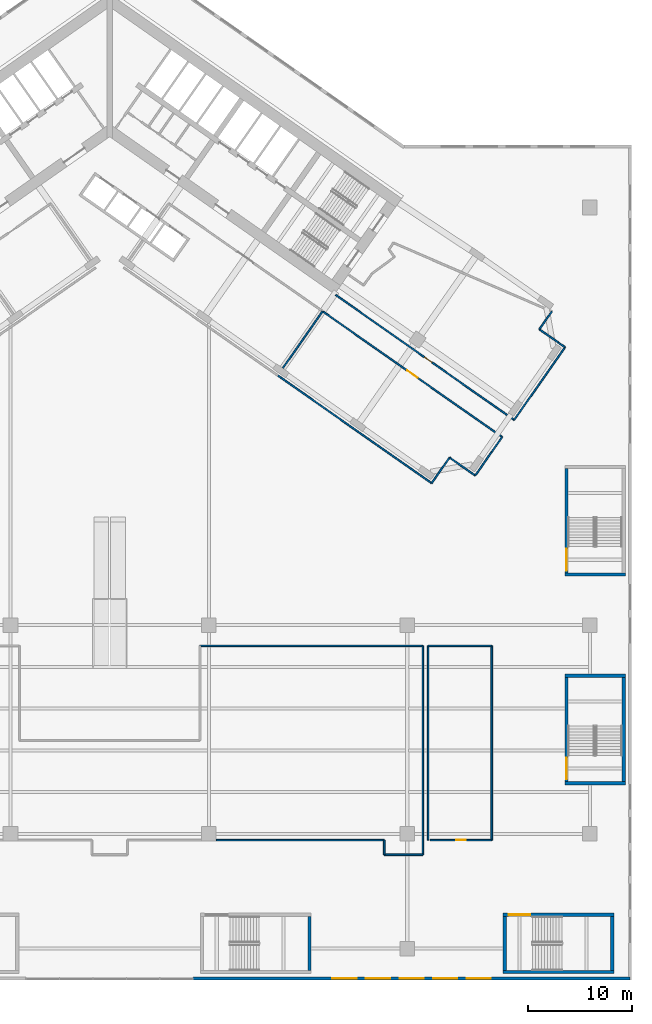
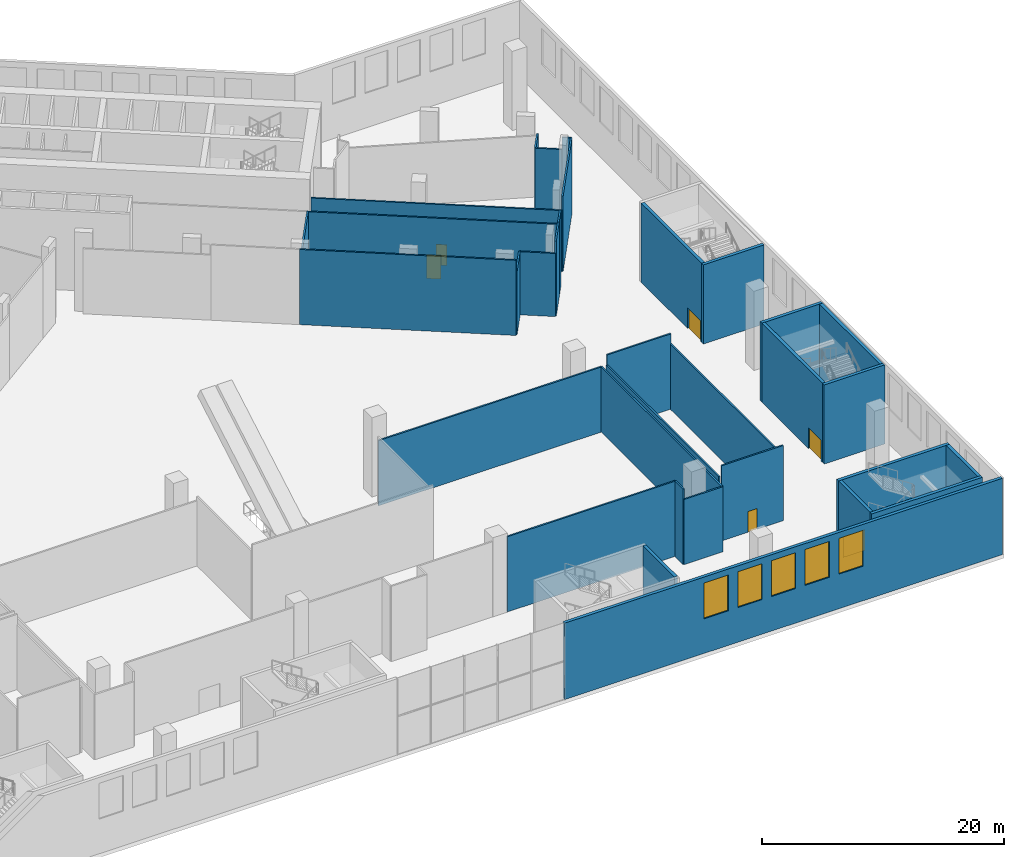
# One storey, part 8 of 27: 33 walls, 6 doors, 5 windows, 11 openings.
"""IFC4 building model written with IfcOpenShell, lengths in metres."""

from ifc_helpers import new_model, si_unit, direction, frame, frame_2d, origin, place, context, subcontext, project, spatial, rectangle, extrude, material, layer, layer_set, type_object, element, fill, save


model = new_model("IFC4")

# Units and contexts
model_context = context("Model", 3, precision=1e-05, world=origin(), true_north=direction((0.0, 1.0)))
body_context = subcontext(model_context, "Body", "Model", "MODEL_VIEW")
ifc_project = project(units=[si_unit("LENGTHUNIT", "METRE"), si_unit("AREAUNIT", "SQUARE_METRE"), si_unit("VOLUMEUNIT", "CUBIC_METRE"), si_unit("PLANEANGLEUNIT", "RADIAN"), si_unit("MASSUNIT", "GRAM", prefix="KILO")], contexts=[model_context])

# Site, building, storey
site_placement = place(None, origin())
site = spatial("IfcSite", under=ifc_project, at=site_placement, CompositionType="ELEMENT")
building_placement = place(site_placement, origin())
building = spatial("IfcBuilding", under=site, at=building_placement, Name="Tel Ilan Convention Tower", CompositionType="ELEMENT")
storey_placement = place(building_placement, frame((0.0, 0.0, 18.0)))
storey = spatial("IfcBuildingStorey", under=building, at=storey_placement, Name="L02", CompositionType="ELEMENT", Elevation=18.0)

# Wall, opening, door
ifc_material_1 = material(Name="Plasterboard on Steel Studs", Category="steel")
ifc_layer_1 = layer(ifc_material_1, 0.14990234375)
ifc_layer_set_1 = layer_set([ifc_layer_1], Name="Fire-rated Partition 150 EI 60")
wall_type_1 = type_object("IfcWallType", Name="Fire-rated Partition 150 EI 60", PredefinedType="PARTITIONING", material=ifc_layer_set_1)
wall_1_placement = place(storey_placement, frame((21.641845703125, -16.37451171875, 0.0), z_axis=(0.0, 0.0, 1.0), x_axis=(0.819148965066, -0.573580833911, 0.0)))
wall_1 = element("IfcWall", 1, at=wall_1_placement, inside=storey, type_object=wall_type_1, Name="Partition 001", PredefinedType="PARTITIONING", context=body_context, shape_type="SweptSolid", body=[
    extrude(rectangle(XDim=20.8798828125, YDim=0.14990234375, at=frame_2d((10.43994140625, 0.0))), origin(), (0.0, 0.0, 1.0), 6.179931640625),
])
opening_1_placement = place(wall_1_placement, frame((10.389892578125, 0.0, 0.0)))
opening_1 = element("IfcOpeningElement", 2, at=opening_1_placement, cuts=wall_1, Name="Opening L02-006", PredefinedType="OPENING", context=body_context, shape_type="SweptSolid", body=[
    extrude(rectangle(XDim=0.89990234375, YDim=2.10009765625, at=frame_2d((0.449951171875, 1.050048828125))), frame((0.0, 0.0849609375, 0.0), z_axis=(0.0, -1.0, 0.0), x_axis=(1.0, 0.0, 0.0)), (0.0, 0.0, 1.0), 0.169921875),
])
ifc_material_2 = material(Name="Timber Door Leaf in Steel Frame", Category="steel")
door_type_1 = type_object("IfcDoorType", Name="Room Fire Door 900x2100", OperationType="NOTDEFINED", PredefinedType="DOOR", material=ifc_material_2)
door_1_placement = place(opening_1_placement, origin())
door_1 = element("IfcDoor", 3, at=door_1_placement, inside=storey, type_object=door_type_1, Name="Door L02-006", OperationType="SINGLE_SWING_RIGHT", OverallHeight=2.10009765625, OverallWidth=0.89990234375, PredefinedType="DOOR", context=body_context, shape_type="SweptSolid", body=[
    extrude(rectangle(XDim=0.89990234375, YDim=2.10009765625, at=frame_2d((0.449951171875, 1.050048828125))), frame((0.0, 0.02490234375, 0.0), z_axis=(0.0, -1.0, 0.0), x_axis=(1.0, 0.0, 0.0)), (0.0, 0.0, 1.0), 0.050048828125),
])
fill(opening_1, door_1)

wall_2_placement = place(storey_placement, frame((37.5986328125, -29.989013671875, 0.0), z_axis=(0.0, 0.0, 1.0), x_axis=(-0.819154909514, 0.573572344364, 0.0)))
wall_2 = element("IfcWall", 4, at=wall_2_placement, inside=storey, type_object=wall_type_1, Name="Partition 003", PredefinedType="PARTITIONING", context=body_context, shape_type="SweptSolid", body=[
    extrude(rectangle(XDim=21.001953125, YDim=0.14990234375, at=frame_2d((10.5009765625, 0.0))), origin(), (0.0, 0.0, 1.0), 6.179931640625),
])
opening_2_placement = place(wall_2_placement, frame((9.90087890625, 0.0, 0.0)))
opening_2 = element("IfcOpeningElement", 5, at=opening_2_placement, cuts=wall_2, Name="Opening L02-005", PredefinedType="OPENING", context=body_context, shape_type="SweptSolid", body=[
    extrude(rectangle(XDim=1.199951171875, YDim=2.39990234375, at=frame_2d((0.60009765625, 1.199951171875))), frame((0.0, 0.0849609375, 0.0), z_axis=(0.0, -1.0, 0.0), x_axis=(1.0, 0.0, 0.0)), (0.0, 0.0, 1.0), 0.169921875),
])
ifc_material_3 = material(Name="Glazed Aluminium Door", Category="aluminium")
door_type_2 = type_object("IfcDoorType", Name="Glazed Lobby Door 1200x2400", OperationType="NOTDEFINED", PredefinedType="DOOR", material=ifc_material_3)
door_2_placement = place(opening_2_placement, origin())
door_2 = element("IfcDoor", 6, at=door_2_placement, inside=storey, type_object=door_type_2, Name="Door L02-005", OperationType="DOUBLE_DOOR_SINGLE_SWING", OverallHeight=2.39990234375, OverallWidth=1.199951171875, PredefinedType="DOOR", context=body_context, shape_type="SweptSolid", body=[
    extrude(rectangle(XDim=1.199951171875, YDim=2.39990234375, at=frame_2d((0.60009765625, 1.199951171875))), frame((0.0, 0.02490234375, 0.0), z_axis=(0.0, -1.0, 0.0), x_axis=(1.0, 0.0, 0.0)), (0.0, 0.0, 1.0), 0.050048828125),
])
fill(opening_2, door_2)

# Walls
wall_3_placement = place(storey_placement, frame((42.357421875, -17.96240234375, 0.0), z_axis=(0.0, 0.0, 1.0), x_axis=(-0.573533201177, -0.819182316183, 0.0)))
element("IfcWall", 7, at=wall_3_placement, inside=storey, type_object=wall_type_1, Name="Partition 007", PredefinedType="PARTITIONING", context=body_context, shape_type="SweptSolid", body=[
    extrude(rectangle(XDim=2.0810546875, YDim=0.14990234375, at=frame_2d((1.04052734375, 0.0))), origin(), (0.0, 0.0, 1.0), 6.3798828125),
])
wall_4_placement = place(storey_placement, frame((41.163818359375, -19.667236328125, 0.0), z_axis=(0.0, 0.0, 1.0), x_axis=(0.81912956014, -0.573608545704, 0.0)))
element("IfcWall", 8, at=wall_4_placement, inside=storey, type_object=wall_type_1, Name="Partition 008", PredefinedType="PARTITIONING", context=body_context, shape_type="SweptSolid", body=[
    extrude(rectangle(XDim=2.2412109375, YDim=0.14990234375, at=frame_2d((1.12060546875, 0.0))), origin(), (0.0, 0.0, 1.0), 6.3798828125),
])
wall_5_placement = place(storey_placement, frame((42.998046875, -20.95166015625, 0.0), z_axis=(0.0, 0.0, 1.0), x_axis=(0.819141432686, -0.573591590992, 0.0)))
element("IfcWall", 9, at=wall_5_placement, inside=storey, type_object=wall_type_1, Name="Partition 009", PredefinedType="PARTITIONING", context=body_context, shape_type="SweptSolid", body=[
    extrude(rectangle(XDim=0.760498046875, YDim=0.14990234375, at=frame_2d((0.38037109375, 0.0))), origin(), (0.0, 0.0, 1.0), 7.60009765625),
])
wall_6_placement = place(storey_placement, frame((43.62109375, -21.387939453125, 0.0), z_axis=(0.0, 0.0, 1.0), x_axis=(-0.57357799764, -0.819150951061, 0.0)))
element("IfcWall", 10, at=wall_6_placement, inside=storey, type_object=wall_type_1, Name="Partition 010", PredefinedType="PARTITIONING", context=body_context, shape_type="SweptSolid", body=[
    extrude(rectangle(XDim=8.500244140625, YDim=0.14990234375, at=frame_2d((4.25, 0.0))), origin(), (0.0, 0.0, 1.0), 7.60009765625),
])
wall_7_placement = place(storey_placement, frame((20.396484375, -17.944091796875, 0.0), z_axis=(0.0, 0.0, 1.0), x_axis=(-0.57359826181, -0.819136761505, 0.0)))
element("IfcWall", 11, at=wall_7_placement, inside=storey, type_object=wall_type_1, Name="Partition 017", PredefinedType="PARTITIONING", context=body_context, shape_type="SweptSolid", body=[
    extrude(rectangle(XDim=6.630126953125, YDim=0.14990234375, at=frame_2d((3.31494140625, 0.0))), origin(), (0.0, 0.0, 1.0), 6.179931640625),
])
wall_8_placement = place(storey_placement, frame((32.56005859375, -31.95458984375, 0.0), z_axis=(0.0, 0.0, 1.0), x_axis=(-0.573560650686, -0.819163097304, 0.0)))
element("IfcWall", 12, at=wall_8_placement, inside=storey, type_object=wall_type_1, Name="Partition 022", PredefinedType="PARTITIONING", context=body_context, shape_type="SweptSolid", body=[
    extrude(rectangle(XDim=3.0, YDim=0.14990234375, at=frame_2d((1.5, 0.0))), origin(), (0.0, 0.0, 1.0), 6.3798828125),
])
wall_9_placement = place(storey_placement, frame((30.83935546875, -34.412109375, 0.0), z_axis=(0.0, 0.0, 1.0), x_axis=(-0.81915226268, 0.573576124456, 0.0)))
element("IfcWall", 13, at=wall_9_placement, inside=storey, type_object=wall_type_1, Name="Partition 023", PredefinedType="PARTITIONING", context=body_context, shape_type="SweptSolid", body=[
    extrude(rectangle(XDim=18.000244140625, YDim=0.14990234375, at=frame_2d((9.0, 0.0))), origin(), (0.0, 0.0, 1.0), 7.60009765625),
])
wall_10_placement = place(storey_placement, frame((36.59912109375, -31.41650390625, 0.0), z_axis=(0.0, 0.0, 1.0), x_axis=(-0.573557416232, -0.819165361991, 0.0)))
element("IfcWall", 14, at=wall_10_placement, inside=storey, type_object=wall_type_1, Name="Partition 024", PredefinedType="PARTITIONING", context=body_context, shape_type="SweptSolid", body=[
    extrude(rectangle(XDim=2.75732421875, YDim=0.14990234375, at=frame_2d((1.378662109375, 0.0))), origin(), (0.0, 0.0, 1.0), 7.60009765625),
])
wall_11_placement = place(storey_placement, frame((35.017578125, -33.67529296875, 0.0), z_axis=(0.0, 0.0, 1.0), x_axis=(-0.819163097304, 0.573560650686, 0.0)))
element("IfcWall", 15, at=wall_11_placement, inside=storey, type_object=wall_type_1, Name="Partition 025", PredefinedType="PARTITIONING", context=body_context, shape_type="SweptSolid", body=[
    extrude(rectangle(XDim=3.0, YDim=0.14990234375, at=frame_2d((1.5, 0.0))), origin(), (0.0, 0.0, 1.0), 6.3798828125),
])
wall_12_placement = place(storey_placement, frame((37.5986328125, -29.989013671875, 0.0), z_axis=(0.0, 0.0, 1.0), x_axis=(-0.573575034625, -0.819153025786, 0.0)))
element("IfcWall", 16, at=wall_12_placement, inside=storey, type_object=wall_type_1, Name="Partition 026", PredefinedType="PARTITIONING", context=body_context, shape_type="SweptSolid", body=[
    extrude(rectangle(XDim=1.74462890625, YDim=0.14990234375, at=frame_2d((0.872314453125, 0.0))), origin(), (0.0, 0.0, 1.0), 7.60009765625),
])
wall_13_placement = place(storey_placement, frame((26.301025390625, -70.0009765625, 0.0), z_axis=(0.0, 0.0, 1.0), x_axis=(1.0, 0.0, 0.0)))
element("IfcWall", 17, at=wall_13_placement, inside=storey, type_object=wall_type_1, Name="Partition 027", PredefinedType="PARTITIONING", context=body_context, shape_type="SweptSolid", body=[
    extrude(rectangle(XDim=3.698974609375, YDim=0.14990234375, at=frame_2d((1.849609375, 0.0))), origin(), (0.0, 0.0, 1.0), 6.580078125),
])
wall_14_placement = place(storey_placement, frame((30.0009765625, -70.0, 0.0), z_axis=(0.0, 0.0, 1.0), x_axis=(0.0, 1.0, 0.0)))
element("IfcWall", 18, at=wall_14_placement, inside=storey, type_object=wall_type_1, Name="Partition 028", PredefinedType="PARTITIONING", context=body_context, shape_type="SweptSolid", body=[
    extrude(rectangle(XDim=20.0, YDim=0.14990234375, at=frame_2d((10.0, 0.0))), origin(), (0.0, 0.0, 1.0), 6.580078125),
])
wall_15_placement = place(storey_placement, frame((30.0, -49.9990234375, 0.0), z_axis=(0.0, 0.0, 1.0), x_axis=(-1.0, 0.0, 0.0)))
element("IfcWall", 19, at=wall_15_placement, inside=storey, type_object=wall_type_1, Name="Partition 029", PredefinedType="PARTITIONING", context=body_context, shape_type="SweptSolid", body=[
    extrude(rectangle(XDim=21.34912109375, YDim=0.14990234375, at=frame_2d((10.674560546875, 0.0))), origin(), (0.0, 0.0, 1.0), 6.580078125),
])
wall_16_placement = place(storey_placement, frame((36.59912109375, -49.9990234375, 0.0), z_axis=(0.0, 0.0, 1.0), x_axis=(-1.0, 0.0, 0.0)))
element("IfcWall", 20, at=wall_16_placement, inside=storey, type_object=wall_type_1, Name="Partition 033", PredefinedType="PARTITIONING", context=body_context, shape_type="SweptSolid", body=[
    extrude(rectangle(XDim=6.09912109375, YDim=0.14990234375, at=frame_2d((3.049560546875, 0.0))), origin(), (0.0, 0.0, 1.0), 7.60009765625),
])
wall_17_placement = place(storey_placement, frame((30.4990234375, -50.0, 0.0), z_axis=(0.0, 0.0, 1.0), x_axis=(0.0, -1.0, 0.0)))
element("IfcWall", 21, at=wall_17_placement, inside=storey, type_object=wall_type_1, Name="Partition 034", PredefinedType="PARTITIONING", context=body_context, shape_type="SweptSolid", body=[
    extrude(rectangle(XDim=18.59912109375, YDim=0.14990234375, at=frame_2d((9.299560546875, 0.0))), origin(), (0.0, 0.0, 1.0), 6.580078125),
])
wall_18_placement = place(storey_placement, frame((10.219970703125, -68.60009765625, 0.0), z_axis=(0.0, 0.0, 1.0), x_axis=(1.0, 0.0, 0.0)))
element("IfcWall", 22, at=wall_18_placement, inside=storey, type_object=wall_type_1, Name="Partition 054", PredefinedType="PARTITIONING", context=body_context, shape_type="SweptSolid", body=[
    extrude(rectangle(XDim=16.080078125, YDim=0.14990234375, at=frame_2d((8.0400390625, 0.0))), origin(), (0.0, 0.0, 1.0), 7.60009765625),
])
wall_19_placement = place(storey_placement, frame((26.300048828125, -68.60009765625, 0.0), z_axis=(0.0, 0.0, 1.0), x_axis=(0.0, -1.0, 0.0)))
element("IfcWall", 23, at=wall_19_placement, inside=storey, type_object=wall_type_1, Name="Partition 055", PredefinedType="PARTITIONING", context=body_context, shape_type="SweptSolid", body=[
    extrude(rectangle(XDim=1.401611328125, YDim=0.14990234375, at=frame_2d((0.70068359375, 0.0))), origin(), (0.0, 0.0, 1.0), 7.60009765625),
])

# Wall, opening, door
wall_20_placement = place(storey_placement, frame((30.699951171875, -68.60009765625, 0.0), z_axis=(0.0, 0.0, 1.0), x_axis=(1.0, 0.0, 0.0)))
wall_20 = element("IfcWall", 24, at=wall_20_placement, inside=storey, type_object=wall_type_1, Name="Partition 056", PredefinedType="PARTITIONING", context=body_context, shape_type="SweptSolid", body=[
    extrude(rectangle(XDim=5.900146484375, YDim=0.14990234375, at=frame_2d((2.9501953125, 0.0))), origin(), (0.0, 0.0, 1.0), 7.60009765625),
])
opening_3_placement = place(wall_20_placement, frame((2.5, 0.0, 0.0)))
opening_3 = element("IfcOpeningElement", 25, at=opening_3_placement, cuts=wall_20, Name="Opening L02-008", PredefinedType="OPENING", context=body_context, shape_type="SweptSolid", body=[
    extrude(rectangle(XDim=0.89990234375, YDim=2.10009765625, at=frame_2d((0.449951171875, 1.050048828125))), frame((0.0, 0.0849609375, 0.0), z_axis=(0.0, -1.0, 0.0), x_axis=(1.0, 0.0, 0.0)), (0.0, 0.0, 1.0), 0.169921875),
])
ifc_material_4 = material(Name="Timber Door Leaf in Steel Frame", Category="steel")
door_type_3 = type_object("IfcDoorType", Name="Riser and Service Fire Door 900x2100", OperationType="NOTDEFINED", PredefinedType="DOOR", material=ifc_material_4)
door_3_placement = place(opening_3_placement, origin())
door_3 = element("IfcDoor", 26, at=door_3_placement, inside=storey, type_object=door_type_3, Name="Door L02-008", OperationType="SINGLE_SWING_LEFT", OverallHeight=2.10009765625, OverallWidth=0.89990234375, PredefinedType="DOOR", context=body_context, shape_type="SweptSolid", body=[
    extrude(rectangle(XDim=0.89990234375, YDim=2.10009765625, at=frame_2d((0.449951171875, 1.050048828125))), frame((0.0, 0.02490234375, 0.0), z_axis=(0.0, -1.0, 0.0), x_axis=(1.0, 0.0, 0.0)), (0.0, 0.0, 1.0), 0.050048828125),
])
fill(opening_3, door_3)

# Wall
wall_21_placement = place(storey_placement, frame((36.60009765625, -68.60009765625, 0.0), z_axis=(0.0, 0.0, 1.0), x_axis=(0.0, 1.0, 0.0)))
element("IfcWall", 27, at=wall_21_placement, inside=storey, type_object=wall_type_1, Name="Partition 057", PredefinedType="PARTITIONING", context=body_context, shape_type="SweptSolid", body=[
    extrude(rectangle(XDim=18.601806640625, YDim=0.14990234375, at=frame_2d((9.30078125, 0.0))), origin(), (0.0, 0.0, 1.0), 6.580078125),
])

# Wall, openings, windows
ifc_material_5 = material(Name="Bronze aluminium cladding panel on insulated steel frame", Category="steel")
ifc_layer_2 = layer(ifc_material_5, 0.300048828125)
ifc_layer_set_2 = layer_set([ifc_layer_2], Name="PODIUM CLADDING WALL 300")
wall_type_2 = type_object("IfcWallType", Name="PODIUM CLADDING WALL 300", PredefinedType="SOLIDWALL", material=ifc_layer_set_2)
wall_22_placement = place(storey_placement, frame((8.0, -81.85009765625, 0.0), z_axis=(0.0, 0.0, 1.0), x_axis=(1.0, 0.0, 0.0)))
wall_22 = element("IfcWall", 28, at=wall_22_placement, inside=storey, type_object=wall_type_2, Name="Podium cladding wall", PredefinedType="SOLIDWALL", context=body_context, shape_type="SweptSolid", body=[
    extrude(rectangle(XDim=41.85009765625, YDim=0.300048828125, at=frame_2d((20.925048828125, 0.0))), origin(), (0.0, 0.0, 1.0), 7.719970703125),
])
opening_4_placement = place(wall_22_placement, frame((13.326904296875, 0.0, 3.5)))
opening_4 = element("IfcOpeningElement", 29, at=opening_4_placement, cuts=wall_22, Name="Opening W-05.006", PredefinedType="OPENING", context=body_context, shape_type="SweptSolid", body=[
    extrude(rectangle(XDim=2.3193359375, YDim=3.6201171875, at=frame_2d((1.15966796875, 1.81005859375))), frame((0.0, 0.159912109375, 0.0), z_axis=(0.0, -1.0, 0.0), x_axis=(1.0, 0.0, 0.0)), (0.0, 0.0, 1.0), 0.320068359375),
])
opening_5_placement = place(wall_22_placement, frame((16.546142578125, 0.0, 3.5)))
opening_5 = element("IfcOpeningElement", 30, at=opening_5_placement, cuts=wall_22, Name="Opening W-05.007", PredefinedType="OPENING", context=body_context, shape_type="SweptSolid", body=[
    extrude(rectangle(XDim=2.3193359375, YDim=3.6201171875, at=frame_2d((1.15966796875, 1.81005859375))), frame((0.0, 0.159912109375, 0.0), z_axis=(0.0, -1.0, 0.0), x_axis=(1.0, 0.0, 0.0)), (0.0, 0.0, 1.0), 0.320068359375),
])
opening_6_placement = place(wall_22_placement, frame((19.765380859375, 0.0, 3.5)))
opening_6 = element("IfcOpeningElement", 31, at=opening_6_placement, cuts=wall_22, Name="Opening W-05.008", PredefinedType="OPENING", context=body_context, shape_type="SweptSolid", body=[
    extrude(rectangle(XDim=2.3193359375, YDim=3.6201171875, at=frame_2d((1.15966796875, 1.81005859375))), frame((0.0, 0.159912109375, 0.0), z_axis=(0.0, -1.0, 0.0), x_axis=(1.0, 0.0, 0.0)), (0.0, 0.0, 1.0), 0.320068359375),
])
opening_7_placement = place(wall_22_placement, frame((22.984619140625, 0.0, 3.5)))
opening_7 = element("IfcOpeningElement", 32, at=opening_7_placement, cuts=wall_22, Name="Opening W-05.009", PredefinedType="OPENING", context=body_context, shape_type="SweptSolid", body=[
    extrude(rectangle(XDim=2.3193359375, YDim=3.6201171875, at=frame_2d((1.15966796875, 1.81005859375))), frame((0.0, 0.159912109375, 0.0), z_axis=(0.0, -1.0, 0.0), x_axis=(1.0, 0.0, 0.0)), (0.0, 0.0, 1.0), 0.320068359375),
])
opening_8_placement = place(wall_22_placement, frame((26.203857421875, 0.0, 3.5)))
opening_8 = element("IfcOpeningElement", 33, at=opening_8_placement, cuts=wall_22, Name="Opening W-05.010", PredefinedType="OPENING", context=body_context, shape_type="SweptSolid", body=[
    extrude(rectangle(XDim=2.3193359375, YDim=3.6201171875, at=frame_2d((1.15966796875, 1.81005859375))), frame((0.0, 0.159912109375, 0.0), z_axis=(0.0, -1.0, 0.0), x_axis=(1.0, 0.0, 0.0)), (0.0, 0.0, 1.0), 0.320068359375),
])
ifc_material_6 = material(Name="Aluminium framed glazing, bronze anodised, tinted glass", Category="aluminium")
window_type = type_object("IfcWindowType", Name="PODIUM WINDOW 2319x3620", PartitioningType="SINGLE_PANEL", PredefinedType="WINDOW", material=ifc_material_6)
window_1_placement = place(opening_4_placement, origin())
window_1 = element("IfcWindow", 34, at=window_1_placement, inside=storey, type_object=window_type, Name="Podium window", OverallHeight=3.6201171875, OverallWidth=2.3193359375, PartitioningType="SINGLE_PANEL", PredefinedType="WINDOW", context=body_context, shape_type="SweptSolid", body=[
    extrude(rectangle(XDim=2.3193359375, YDim=3.6201171875, at=frame_2d((1.15966796875, 1.81005859375))), frame((0.0, 0.030029296875, 0.0), z_axis=(0.0, -1.0, 0.0), x_axis=(1.0, 0.0, 0.0)), (0.0, 0.0, 1.0), 0.06005859375),
])
fill(opening_4, window_1)
window_2_placement = place(opening_5_placement, origin())
window_2 = element("IfcWindow", 35, at=window_2_placement, inside=storey, type_object=window_type, Name="Podium window", OverallHeight=3.6201171875, OverallWidth=2.3193359375, PartitioningType="SINGLE_PANEL", PredefinedType="WINDOW", context=body_context, shape_type="SweptSolid", body=[
    extrude(rectangle(XDim=2.3193359375, YDim=3.6201171875, at=frame_2d((1.15966796875, 1.81005859375))), frame((0.0, 0.030029296875, 0.0), z_axis=(0.0, -1.0, 0.0), x_axis=(1.0, 0.0, 0.0)), (0.0, 0.0, 1.0), 0.06005859375),
])
fill(opening_5, window_2)
window_3_placement = place(opening_6_placement, origin())
window_3 = element("IfcWindow", 36, at=window_3_placement, inside=storey, type_object=window_type, Name="Podium window", OverallHeight=3.6201171875, OverallWidth=2.3193359375, PartitioningType="SINGLE_PANEL", PredefinedType="WINDOW", context=body_context, shape_type="SweptSolid", body=[
    extrude(rectangle(XDim=2.3193359375, YDim=3.6201171875, at=frame_2d((1.15966796875, 1.81005859375))), frame((0.0, 0.030029296875, 0.0), z_axis=(0.0, -1.0, 0.0), x_axis=(1.0, 0.0, 0.0)), (0.0, 0.0, 1.0), 0.06005859375),
])
fill(opening_6, window_3)
window_4_placement = place(opening_7_placement, origin())
window_4 = element("IfcWindow", 37, at=window_4_placement, inside=storey, type_object=window_type, Name="Podium window", OverallHeight=3.6201171875, OverallWidth=2.3193359375, PartitioningType="SINGLE_PANEL", PredefinedType="WINDOW", context=body_context, shape_type="SweptSolid", body=[
    extrude(rectangle(XDim=2.3193359375, YDim=3.6201171875, at=frame_2d((1.15966796875, 1.81005859375))), frame((0.0, 0.030029296875, 0.0), z_axis=(0.0, -1.0, 0.0), x_axis=(1.0, 0.0, 0.0)), (0.0, 0.0, 1.0), 0.06005859375),
])
fill(opening_7, window_4)
window_5_placement = place(opening_8_placement, origin())
window_5 = element("IfcWindow", 38, at=window_5_placement, inside=storey, type_object=window_type, Name="Podium window", OverallHeight=3.6201171875, OverallWidth=2.3193359375, PartitioningType="SINGLE_PANEL", PredefinedType="WINDOW", context=body_context, shape_type="SweptSolid", body=[
    extrude(rectangle(XDim=2.3193359375, YDim=3.6201171875, at=frame_2d((1.15966796875, 1.81005859375))), frame((0.0, 0.030029296875, 0.0), z_axis=(0.0, -1.0, 0.0), x_axis=(1.0, 0.0, 0.0)), (0.0, 0.0, 1.0), 0.06005859375),
])
fill(opening_8, window_5)

# Walls
ifc_material_7 = material(Name="Concrete C40/50", Category="concrete")
ifc_layer_3 = layer(ifc_material_7, 0.300048828125)
ifc_layer_set_3 = layer_set([ifc_layer_3], Name="Stair Enclosure Wall 300 mm C40/50")
wall_type_3 = type_object("IfcWallType", Name="Stair Enclosure Wall 300 mm C40/50", PredefinedType="SOLIDWALL", material=ifc_layer_set_3)
wall_23_placement = place(storey_placement, frame((19.14990234375, -81.10009765625, 0.0), z_axis=(0.0, 0.0, 1.0), x_axis=(0.0, 1.0, 0.0)))
element("IfcWall", 39, at=wall_23_placement, inside=storey, type_object=wall_type_3, Name="P3 stair enclosure wall E L02", PredefinedType="SOLIDWALL", context=body_context, shape_type="SweptSolid", body=[
    extrude(rectangle(XDim=5.2001953125, YDim=0.300048828125, at=frame_2d((2.60009765625, 0.0))), origin(), (0.0, 0.0, 1.0), 8.0),
])
wall_24_placement = place(storey_placement, frame((37.699951171875, -81.25, 0.0), z_axis=(0.0, 0.0, 1.0), x_axis=(1.0, 0.0, 0.0)))
element("IfcWall", 40, at=wall_24_placement, inside=storey, type_object=wall_type_3, Name="P4 stair enclosure wall S L02", PredefinedType="SOLIDWALL", context=body_context, shape_type="SweptSolid", body=[
    extrude(rectangle(XDim=10.60009765625, YDim=0.300048828125, at=frame_2d((5.300048828125, 0.0))), origin(), (0.0, 0.0, 1.0), 8.0),
])

# Wall, opening, door
wall_25_placement = place(storey_placement, frame((37.699951171875, -75.75, 0.0), z_axis=(0.0, 0.0, 1.0), x_axis=(1.0, 0.0, 0.0)))
wall_25 = element("IfcWall", 41, at=wall_25_placement, inside=storey, type_object=wall_type_3, Name="P4 stair enclosure wall N L02", PredefinedType="SOLIDWALL", context=body_context, shape_type="SweptSolid", body=[
    extrude(rectangle(XDim=10.60009765625, YDim=0.300048828125, at=frame_2d((5.300048828125, 0.0))), origin(), (0.0, 0.0, 1.0), 8.0),
])
opening_9_placement = place(wall_25_placement, frame((0.512451171875, 0.0, 0.0)))
opening_9 = element("IfcOpeningElement", 42, at=opening_9_placement, cuts=wall_25, Name="Opening PD405", PredefinedType="OPENING", context=body_context, shape_type="SweptSolid", body=[
    extrude(rectangle(XDim=2.10009765625, YDim=2.10009765625, at=frame_2d((1.050048828125, 1.050048828125))), frame((0.0, 0.159912109375, 0.0), z_axis=(0.0, -1.0, 0.0), x_axis=(1.0, 0.0, 0.0)), (0.0, 0.0, 1.0), 0.320068359375),
])
ifc_material_8 = material(Name="Galvanised Steel Door Leaf", Category="steel")
door_type_4 = type_object("IfcDoorType", Name="Stair Fire Door 2100 x 2100 FD60S", OperationType="NOTDEFINED", PredefinedType="DOOR", material=ifc_material_8)
door_4_placement = place(opening_9_placement, origin())
door_4 = element("IfcDoor", 43, at=door_4_placement, inside=storey, type_object=door_type_4, Name="Stair P4 floor door", OperationType="DOUBLE_DOOR_SINGLE_SWING", OverallHeight=2.10009765625, OverallWidth=2.10009765625, PredefinedType="DOOR", context=body_context, shape_type="SweptSolid", body=[
    extrude(rectangle(XDim=2.10009765625, YDim=2.10009765625, at=frame_2d((1.050048828125, 1.050048828125))), frame((0.0, 0.02490234375, 0.0), z_axis=(0.0, -1.0, 0.0), x_axis=(1.0, 0.0, 0.0)), (0.0, 0.0, 1.0), 0.050048828125),
])
fill(opening_9, door_4)

# Walls
for number, where, z_axis, x_axis, name in (
    (44, (37.85009765625, -81.10009765625, 0.0), (0.0, 0.0, 1.0), (0.0, 1.0, 0.0), "P4 stair enclosure wall W L02"),
    (45, (48.14990234375, -81.10009765625, 0.0), (0.0, 0.0, 1.0), (0.0, 1.0, 0.0), "P4 stair enclosure wall E L02"),
):
    element("IfcWall", number, at=place(storey_placement, frame(where, z_axis=z_axis, x_axis=x_axis)), inside=storey, type_object=wall_type_3, Name=name, PredefinedType="SOLIDWALL", context=body_context, shape_type="SweptSolid", body=[
        extrude(rectangle(XDim=5.2001953125, YDim=0.300048828125, at=frame_2d((2.60009765625, 0.0))), origin(), (0.0, 0.0, 1.0), 8.0),
    ])
for number, where, z_axis, x_axis, name in (
    (46, (43.60009765625, -63.14990234375, 0.0), (0.0, 0.0, 1.0), (1.0, 0.0, 0.0), "P6 stair enclosure wall S L02"),
    (47, (43.60009765625, -52.85009765625, 0.0), (0.0, 0.0, 1.0), (1.0, 0.0, 0.0), "P6 stair enclosure wall N L02"),
):
    element("IfcWall", number, at=place(storey_placement, frame(where, z_axis=z_axis, x_axis=x_axis)), inside=storey, type_object=wall_type_3, Name=name, PredefinedType="SOLIDWALL", context=body_context, shape_type="SweptSolid", body=[
        extrude(rectangle(XDim=5.7998046875, YDim=0.300048828125, at=frame_2d((2.89990234375, 0.0))), origin(), (0.0, 0.0, 1.0), 8.0),
    ])

# Wall, opening, door
wall_26_placement = place(storey_placement, frame((43.75, -63.0, 0.0), z_axis=(0.0, 0.0, 1.0), x_axis=(0.0, 1.0, 0.0)))
wall_26 = element("IfcWall", 48, at=wall_26_placement, inside=storey, type_object=wall_type_3, Name="P6 stair enclosure wall W L02", PredefinedType="SOLIDWALL", context=body_context, shape_type="SweptSolid", body=[
    extrude(rectangle(XDim=10.0, YDim=0.300048828125, at=frame_2d((5.0, 0.0))), origin(), (0.0, 0.0, 1.0), 8.0),
])
opening_10_placement = place(wall_26_placement, frame((0.21240234375, 0.0, 0.0)))
opening_10 = element("IfcOpeningElement", 49, at=opening_10_placement, cuts=wall_26, Name="Opening PD605", PredefinedType="OPENING", context=body_context, shape_type="SweptSolid", body=[
    extrude(rectangle(XDim=2.10009765625, YDim=2.10009765625, at=frame_2d((1.050048828125, 1.050048828125))), frame((0.0, 0.159912109375, 0.0), z_axis=(0.0, -1.0, 0.0), x_axis=(1.0, 0.0, 0.0)), (0.0, 0.0, 1.0), 0.320068359375),
])
door_5_placement = place(opening_10_placement, origin())
door_5 = element("IfcDoor", 50, at=door_5_placement, inside=storey, type_object=door_type_4, Name="Stair P6 floor door", OperationType="DOUBLE_DOOR_SINGLE_SWING", OverallHeight=2.10009765625, OverallWidth=2.10009765625, PredefinedType="DOOR", context=body_context, shape_type="SweptSolid", body=[
    extrude(rectangle(XDim=2.10009765625, YDim=2.10009765625, at=frame_2d((1.050048828125, 1.050048828125))), frame((0.0, 0.02490234375, 0.0), z_axis=(0.0, -1.0, 0.0), x_axis=(1.0, 0.0, 0.0)), (0.0, 0.0, 1.0), 0.050048828125),
])
fill(opening_10, door_5)

# Walls
wall_27_placement = place(storey_placement, frame((49.25, -63.0, 0.0), z_axis=(0.0, 0.0, 1.0), x_axis=(0.0, 1.0, 0.0)))
element("IfcWall", 51, at=wall_27_placement, inside=storey, type_object=wall_type_3, Name="P6 stair enclosure wall E L02", PredefinedType="SOLIDWALL", context=body_context, shape_type="SweptSolid", body=[
    extrude(rectangle(XDim=10.0, YDim=0.300048828125, at=frame_2d((5.0, 0.0))), origin(), (0.0, 0.0, 1.0), 8.0),
])
wall_28_placement = place(storey_placement, frame((43.60009765625, -43.14990234375, 0.0), z_axis=(0.0, 0.0, 1.0), x_axis=(1.0, 0.0, 0.0)))
element("IfcWall", 52, at=wall_28_placement, inside=storey, type_object=wall_type_3, Name="P8 stair enclosure wall S L02", PredefinedType="SOLIDWALL", context=body_context, shape_type="SweptSolid", body=[
    extrude(rectangle(XDim=5.7998046875, YDim=0.300048828125, at=frame_2d((2.89990234375, 0.0))), origin(), (0.0, 0.0, 1.0), 8.0),
])

# Wall, opening, door
wall_29_placement = place(storey_placement, frame((43.75, -43.0, 0.0), z_axis=(0.0, 0.0, 1.0), x_axis=(0.0, 1.0, 0.0)))
wall_29 = element("IfcWall", 53, at=wall_29_placement, inside=storey, type_object=wall_type_3, Name="P8 stair enclosure wall W L02", PredefinedType="SOLIDWALL", context=body_context, shape_type="SweptSolid", body=[
    extrude(rectangle(XDim=10.0, YDim=0.300048828125, at=frame_2d((5.0, 0.0))), origin(), (0.0, 0.0, 1.0), 8.0),
])
opening_11_placement = place(wall_29_placement, frame((0.21240234375, 0.0, 0.0)))
opening_11 = element("IfcOpeningElement", 54, at=opening_11_placement, cuts=wall_29, Name="Opening PD805", PredefinedType="OPENING", context=body_context, shape_type="SweptSolid", body=[
    extrude(rectangle(XDim=2.10009765625, YDim=2.10009765625, at=frame_2d((1.050048828125, 1.050048828125))), frame((0.0, 0.159912109375, 0.0), z_axis=(0.0, -1.0, 0.0), x_axis=(1.0, 0.0, 0.0)), (0.0, 0.0, 1.0), 0.320068359375),
])
door_6_placement = place(opening_11_placement, origin())
door_6 = element("IfcDoor", 55, at=door_6_placement, inside=storey, type_object=door_type_4, Name="Stair P8 floor door", OperationType="DOUBLE_DOOR_SINGLE_SWING", OverallHeight=2.10009765625, OverallWidth=2.10009765625, PredefinedType="DOOR", context=body_context, shape_type="SweptSolid", body=[
    extrude(rectangle(XDim=2.10009765625, YDim=2.10009765625, at=frame_2d((1.050048828125, 1.050048828125))), frame((0.0, 0.02490234375, 0.0), z_axis=(0.0, -1.0, 0.0), x_axis=(1.0, 0.0, 0.0)), (0.0, 0.0, 1.0), 0.050048828125),
])
fill(opening_11, door_6)

save(model, "model.ifc")
